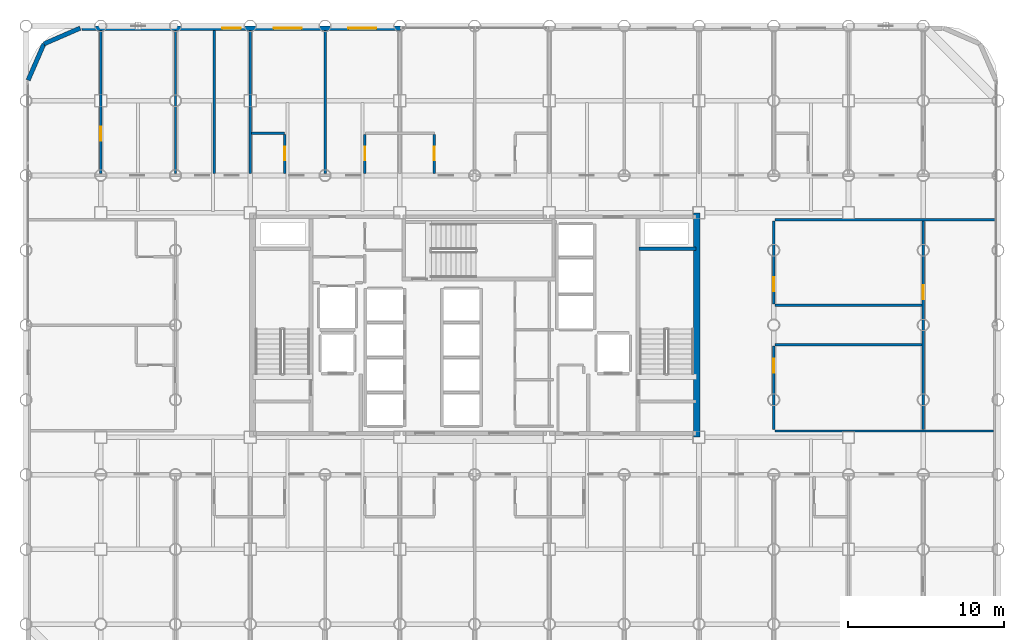
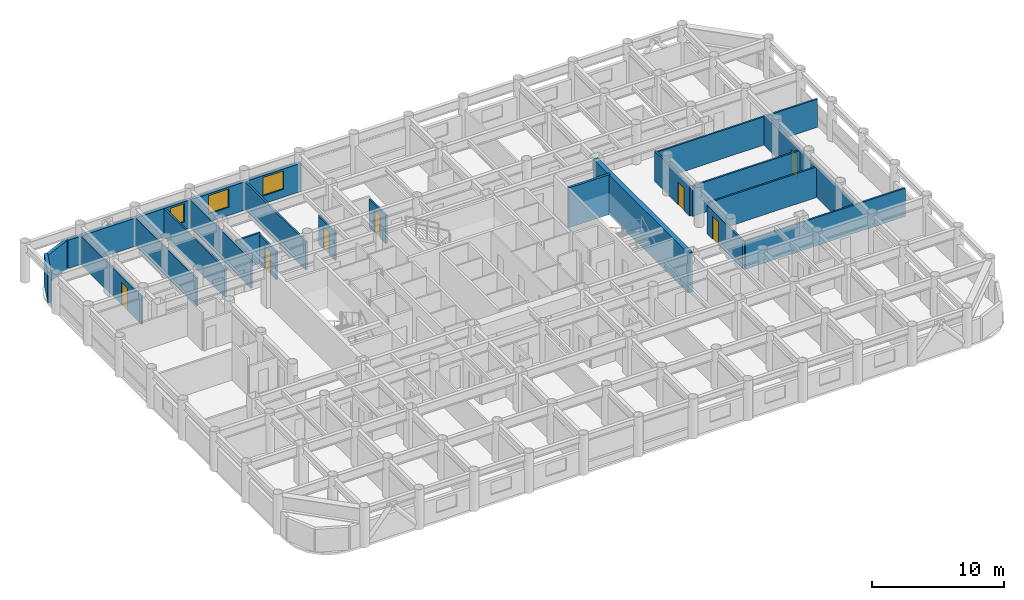
# One storey, part 18 of 21: 21 walls, 7 doors, 3 windows, 10 openings.
"""IFC4 building model written with IfcOpenShell, lengths in metres."""

from ifc_helpers import new_model, si_unit, direction, frame, frame_2d, origin, place, context, subcontext, project, spatial, rectangle, extrude, material, layer, layer_set, type_object, element, fill, save


model = new_model("IFC4")

# Units and contexts
model_context = context("Model", 3, precision=1e-05, world=origin(), true_north=direction((0.0, 1.0)))
body_context = subcontext(model_context, "Body", "Model", "MODEL_VIEW")
ifc_project = project(units=[si_unit("LENGTHUNIT", "METRE"), si_unit("AREAUNIT", "SQUARE_METRE"), si_unit("VOLUMEUNIT", "CUBIC_METRE"), si_unit("PLANEANGLEUNIT", "RADIAN"), si_unit("MASSUNIT", "GRAM", prefix="KILO")], contexts=[model_context])

# Site, building, storey
site_placement = place(None, origin())
site = spatial("IfcSite", under=ifc_project, at=site_placement, CompositionType="ELEMENT")
building_placement = place(site_placement, origin())
building = spatial("IfcBuilding", under=site, at=building_placement, Name="Kallvorn Hotel Tower", CompositionType="ELEMENT")
storey_placement = place(building_placement, frame((0.0, 0.0, 81.800048828125)))
storey = spatial("IfcBuildingStorey", under=building, at=storey_placement, Name="L19", CompositionType="ELEMENT", Elevation=81.800048828125)

# Walls
ifc_material_1 = material(Name="Concrete C50/60", Category="concrete")
ifc_layer_1 = layer(ifc_material_1, 0.39990234375)
ifc_layer_set_1 = layer_set([ifc_layer_1], Name="WL_CORE_400")
wall_type_1 = type_object("IfcWallType", Name="WL_CORE_400", PredefinedType="SHEAR", material=ifc_layer_set_1)
wall_1_placement = place(storey_placement, frame((14.264892578125, -7.199951171875, -0.179931640625), z_axis=(0.0, 0.0, 1.0), x_axis=(0.0, 1.0, 0.0)))
element("IfcWall", 1, at=wall_1_placement, inside=storey, type_object=wall_type_1, Name="L19 Core East Shear Wall", PredefinedType="SHEAR", context=body_context, shape_type="SweptSolid", body=[
    extrude(rectangle(XDim=14.39990234375, YDim=0.39990234375, at=frame_2d((7.199951171875, 0.0))), origin(), (0.0, 0.0, 1.0), 3.699951171875),
])
ifc_material_2 = material(Name="Fire-rated double-layer acoustic gypsum drywall EI 60")
ifc_layer_2 = layer(ifc_material_2, 0.159912109375)
ifc_layer_set_2 = layer_set([ifc_layer_2], Name="WL_DEMISE_160")
wall_type_2 = type_object("IfcWallType", Name="WL_DEMISE_160", PredefinedType="PARTITIONING", material=ifc_layer_set_2)
wall_2_placement = place(storey_placement, frame((-14.320068359375, 12.320068359375, 0.0), z_axis=(0.0, 0.0, 1.0), x_axis=(1.0, 0.0, 0.0)))
element("IfcWall", 2, at=wall_2_placement, inside=storey, type_object=wall_type_2, Name="L19 Suite 1910 Standard Twin Room Partition", PredefinedType="PARTITIONING", context=body_context, shape_type="SweptSolid", body=[
    extrude(rectangle(XDim=2.130126953125, YDim=0.159912109375, at=frame_2d((1.06494140625, 0.0))), origin(), (0.0, 0.0, 1.0), 2.820068359375),
])
wall_3_placement = place(storey_placement, frame((-14.39990234375, 9.719970703125, 0.0), z_axis=(0.0, 0.0, 1.0), x_axis=(0.0, 1.0, 0.0)))
element("IfcWall", 3, at=wall_3_placement, inside=storey, type_object=wall_type_2, Name="L19 Suite 1910 Standard Twin Room Partition", PredefinedType="PARTITIONING", context=body_context, shape_type="SweptSolid", body=[
    extrude(rectangle(XDim=9.18994140625, YDim=0.159912109375, at=frame_2d((4.594970703125, 0.0))), origin(), (0.0, 0.0, 1.0), 2.619873046875),
])

# Wall, opening, door
wall_4_placement = place(storey_placement, frame((-12.18994140625, 9.719970703125, 0.0), z_axis=(0.0, 0.0, 1.0), x_axis=(0.0, 1.0, 0.0)))
wall_4 = element("IfcWall", 4, at=wall_4_placement, inside=storey, type_object=wall_type_2, Name="L19 Suite 1910 Standard Twin Room Partition", PredefinedType="PARTITIONING", context=body_context, shape_type="SweptSolid", body=[
    extrude(rectangle(XDim=2.51513671875, YDim=0.159912109375, at=frame_2d((1.257568359375, 0.0))), origin(), (0.0, 0.0, 1.0), 2.619873046875),
])
opening_1_placement = place(wall_4_placement, frame((0.8701171875, 0.0, 0.0)))
opening_1 = element("IfcOpeningElement", 5, at=opening_1_placement, cuts=wall_4, Name="Opening BD-I", PredefinedType="OPENING", context=body_context, shape_type="SweptSolid", body=[
    extrude(rectangle(XDim=0.860107421875, YDim=2.10009765625, at=frame_2d((0.43017578125, 1.050048828125))), frame((0.0, 0.094970703125, 0.0), z_axis=(0.0, -1.0, 0.0), x_axis=(1.0, 0.0, 0.0)), (0.0, 0.0, 1.0), 0.18994140625),
])
ifc_material_3 = material(Name="Solid-core walnut veneer fire-rated timber door leaf", Category="wood")
door_type_1 = type_object("IfcDoorType", Name="DR_BATH_860x2100", OperationType="NOTDEFINED", PredefinedType="DOOR", material=ifc_material_3)
door_1_placement = place(opening_1_placement, origin())
door_1 = element("IfcDoor", 6, at=door_1_placement, inside=storey, type_object=door_type_1, Name="L19 Suite 1910 En-Suite Bathroom Door", OperationType="SINGLE_SWING_LEFT", OverallHeight=2.10009765625, OverallWidth=0.860107421875, PredefinedType="DOOR", context=body_context, shape_type="SweptSolid", body=[
    extrude(rectangle(XDim=0.860107421875, YDim=2.10009765625, at=frame_2d((0.43017578125, 1.050048828125))), frame((0.0, 0.02490234375, 0.0), z_axis=(0.0, -1.0, 0.0), x_axis=(1.0, 0.0, 0.0)), (0.0, 0.0, 1.0), 0.050048828125),
])
fill(opening_1, door_1)

# Wall
wall_5_placement = place(storey_placement, frame((-9.60009765625, 9.719970703125, 0.0), z_axis=(0.0, 0.0, 1.0), x_axis=(0.0, 1.0, 0.0)))
element("IfcWall", 7, at=wall_5_placement, inside=storey, type_object=wall_type_2, Name="L19 Suite 1910 Standard Twin Room Partition", PredefinedType="PARTITIONING", context=body_context, shape_type="SweptSolid", body=[
    extrude(rectangle(XDim=9.18994140625, YDim=0.159912109375, at=frame_2d((4.594970703125, 0.0))), origin(), (0.0, 0.0, 1.0), 2.619873046875),
])

# Wall, opening, door
wall_6_placement = place(storey_placement, frame((-7.0400390625, 9.719970703125, 0.0), z_axis=(0.0, 0.0, 1.0), x_axis=(0.0, 1.0, 0.0)))
wall_6 = element("IfcWall", 8, at=wall_6_placement, inside=storey, type_object=wall_type_2, Name="L19 Suite 1911 Standard Twin Room Partition", PredefinedType="PARTITIONING", context=body_context, shape_type="SweptSolid", body=[
    extrude(rectangle(XDim=2.51513671875, YDim=0.159912109375, at=frame_2d((1.257568359375, 0.0))), origin(), (0.0, 0.0, 1.0), 2.619873046875),
])
opening_2_placement = place(wall_6_placement, frame((0.8701171875, 0.0, 0.0)))
opening_2 = element("IfcOpeningElement", 9, at=opening_2_placement, cuts=wall_6, Name="Opening BD-I", PredefinedType="OPENING", context=body_context, shape_type="SweptSolid", body=[
    extrude(rectangle(XDim=0.860107421875, YDim=2.10009765625, at=frame_2d((0.43017578125, 1.050048828125))), frame((0.0, 0.094970703125, 0.0), z_axis=(0.0, -1.0, 0.0), x_axis=(1.0, 0.0, 0.0)), (0.0, 0.0, 1.0), 0.18994140625),
])
door_2_placement = place(opening_2_placement, origin())
door_2 = element("IfcDoor", 10, at=door_2_placement, inside=storey, type_object=door_type_1, Name="L19 Suite 1911 En-Suite Bathroom Door", OperationType="SINGLE_SWING_LEFT", OverallHeight=2.10009765625, OverallWidth=0.860107421875, PredefinedType="DOOR", context=body_context, shape_type="SweptSolid", body=[
    extrude(rectangle(XDim=0.860107421875, YDim=2.10009765625, at=frame_2d((0.43017578125, 1.050048828125))), frame((0.0, 0.02490234375, 0.0), z_axis=(0.0, -1.0, 0.0), x_axis=(1.0, 0.0, 0.0)), (0.0, 0.0, 1.0), 0.050048828125),
])
fill(opening_2, door_2)

wall_7_placement = place(storey_placement, frame((-2.590087890625, 9.719970703125, 0.0), z_axis=(0.0, 0.0, 1.0), x_axis=(0.0, 1.0, 0.0)))
wall_7 = element("IfcWall", 11, at=wall_7_placement, inside=storey, type_object=wall_type_2, Name="L19 Suite 1912 Standard Twin Room Partition", PredefinedType="PARTITIONING", context=body_context, shape_type="SweptSolid", body=[
    extrude(rectangle(XDim=2.51513671875, YDim=0.159912109375, at=frame_2d((1.257568359375, 0.0))), origin(), (0.0, 0.0, 1.0), 2.619873046875),
])
opening_3_placement = place(wall_7_placement, frame((0.8701171875, 0.0, 0.0)))
opening_3 = element("IfcOpeningElement", 12, at=opening_3_placement, cuts=wall_7, Name="Opening BD-I", PredefinedType="OPENING", context=body_context, shape_type="SweptSolid", body=[
    extrude(rectangle(XDim=0.860107421875, YDim=2.10009765625, at=frame_2d((0.43017578125, 1.050048828125))), frame((0.0, 0.094970703125, 0.0), z_axis=(0.0, -1.0, 0.0), x_axis=(1.0, 0.0, 0.0)), (0.0, 0.0, 1.0), 0.18994140625),
])
door_3_placement = place(opening_3_placement, origin())
door_3 = element("IfcDoor", 13, at=door_3_placement, inside=storey, type_object=door_type_1, Name="L19 Suite 1912 En-Suite Bathroom Door", OperationType="SINGLE_SWING_LEFT", OverallHeight=2.10009765625, OverallWidth=0.860107421875, PredefinedType="DOOR", context=body_context, shape_type="SweptSolid", body=[
    extrude(rectangle(XDim=0.860107421875, YDim=2.10009765625, at=frame_2d((0.43017578125, 1.050048828125))), frame((0.0, 0.02490234375, 0.0), z_axis=(0.0, -1.0, 0.0), x_axis=(1.0, 0.0, 0.0)), (0.0, 0.0, 1.0), 0.050048828125),
])
fill(opening_3, door_3)

# Walls
ifc_material_4 = material(Name="Precast basalt-clad insulated concrete wall C40/50", Category="masonry")
ifc_layer_3 = layer(ifc_material_4, 0.280029296875)
ifc_layer_set_3 = layer_set([ifc_layer_3], Name="WL_EXT_LOGGIA_280")
wall_type_3 = type_object("IfcWallType", Name="WL_EXT_LOGGIA_280", PredefinedType="SOLIDWALL", material=ifc_layer_set_3)
wall_8_placement = place(storey_placement, frame((-25.32080078125, 19.057861328125, 0.0), z_axis=(0.0, 0.0, 1.0), x_axis=(-0.917060872934, -0.398747232384, 0.0)))
element("IfcWall", 14, at=wall_8_placement, inside=storey, type_object=wall_type_3, Name="L19 Rounded Corner Exterior Wall NW1", PredefinedType="SOLIDWALL", context=body_context, shape_type="SweptSolid", body=[
    extrude(rectangle(XDim=2.5361328125, YDim=0.280029296875, at=frame_2d((1.26806640625, 0.0))), origin(), (0.0, 0.0, 1.0), 2.619873046875),
])
wall_9_placement = place(storey_placement, frame((-27.646484375, 18.046630859375, 0.0), z_axis=(0.0, 0.0, 1.0), x_axis=(-0.398792985289, -0.917040977756, 0.0)))
element("IfcWall", 15, at=wall_9_placement, inside=storey, type_object=wall_type_3, Name="L19 Rounded Corner Exterior Wall NW2", PredefinedType="SOLIDWALL", context=body_context, shape_type="SweptSolid", body=[
    extrude(rectangle(XDim=2.536376953125, YDim=0.280029296875, at=frame_2d((1.26806640625, 0.0))), origin(), (0.0, 0.0, 1.0), 2.820068359375),
])

# Wall, openings, windows
wall_10_placement = place(storey_placement, frame((-25.199951171875, 19.06005859375, 0.0), z_axis=(0.0, 0.0, 1.0), x_axis=(1.0, 0.0, 0.0)))
wall_10 = element("IfcWall", 16, at=wall_10_placement, inside=storey, type_object=wall_type_3, Name="L19 Exterior Envelope Wall EW-L19-NW", PredefinedType="SOLIDWALL", context=body_context, shape_type="SweptSolid", body=[
    extrude(rectangle(XDim=20.449951171875, YDim=0.280029296875, at=frame_2d((10.22509765625, 0.0))), origin(), (0.0, 0.0, 1.0), 2.619873046875),
])
opening_4_placement = place(wall_10_placement, frame((9.0, 0.0, 0.75)))
opening_4 = element("IfcOpeningElement", 17, at=opening_4_placement, cuts=wall_10, Name="Opening W06", PredefinedType="OPENING", context=body_context, shape_type="SweptSolid", body=[
    extrude(rectangle(XDim=1.199951171875, YDim=1.699951171875, at=frame_2d((0.60009765625, 0.85009765625))), frame((0.0, 0.155029296875, 0.0), z_axis=(0.0, -1.0, 0.0), x_axis=(1.0, 0.0, 0.0)), (0.0, 0.0, 1.0), 0.31005859375),
])
opening_5_placement = place(wall_10_placement, frame((12.300048828125, 0.0, 0.75)))
opening_5 = element("IfcOpeningElement", 18, at=opening_5_placement, cuts=wall_10, Name="Opening W04", PredefinedType="OPENING", context=body_context, shape_type="SweptSolid", body=[
    extrude(rectangle(XDim=1.800048828125, YDim=1.699951171875, at=frame_2d((0.89990234375, 0.85009765625))), frame((0.0, 0.155029296875, 0.0), z_axis=(0.0, -1.0, 0.0), x_axis=(1.0, 0.0, 0.0)), (0.0, 0.0, 1.0), 0.31005859375),
])
opening_6_placement = place(wall_10_placement, frame((17.10009765625, 0.0, 0.75)))
opening_6 = element("IfcOpeningElement", 19, at=opening_6_placement, cuts=wall_10, Name="Opening W04", PredefinedType="OPENING", context=body_context, shape_type="SweptSolid", body=[
    extrude(rectangle(XDim=1.800048828125, YDim=1.699951171875, at=frame_2d((0.89990234375, 0.85009765625))), frame((0.0, 0.155029296875, 0.0), z_axis=(0.0, -1.0, 0.0), x_axis=(1.0, 0.0, 0.0)), (0.0, 0.0, 1.0), 0.31005859375),
])
ifc_material_5 = material(Name="Triple-glazed low-e acoustic solar-control dark glass", Category="glass")
window_type_1 = type_object("IfcWindowType", Name="WN_HTL_1200x1700", PartitioningType="SINGLE_PANEL", PredefinedType="WINDOW", material=ifc_material_5)
window_1_placement = place(opening_4_placement, origin())
window_1 = element("IfcWindow", 20, at=window_1_placement, inside=storey, type_object=window_type_1, Name="L19 Guestroom Exterior Window 09", OverallHeight=1.699951171875, OverallWidth=1.199951171875, PartitioningType="SINGLE_PANEL", PredefinedType="WINDOW", context=body_context, shape_type="SweptSolid", body=[
    extrude(rectangle(XDim=1.199951171875, YDim=1.699951171875, at=frame_2d((0.60009765625, 0.85009765625))), frame((0.0, 0.030029296875, 0.0), z_axis=(0.0, -1.0, 0.0), x_axis=(1.0, 0.0, 0.0)), (0.0, 0.0, 1.0), 0.06005859375),
])
fill(opening_4, window_1)
ifc_material_6 = material(Name="Double-glazed low-e solar-control dark glass", Category="glass")
window_type_2 = type_object("IfcWindowType", Name="WN_HTL_1800x1700", PartitioningType="SINGLE_PANEL", PredefinedType="WINDOW", material=ifc_material_6)
window_2_placement = place(opening_5_placement, origin())
window_2 = element("IfcWindow", 21, at=window_2_placement, inside=storey, type_object=window_type_2, Name="L19 Guestroom Exterior Window 10", OverallHeight=1.699951171875, OverallWidth=1.800048828125, PartitioningType="SINGLE_PANEL", PredefinedType="WINDOW", context=body_context, shape_type="SweptSolid", body=[
    extrude(rectangle(XDim=1.800048828125, YDim=1.699951171875, at=frame_2d((0.89990234375, 0.85009765625))), frame((0.0, 0.030029296875, 0.0), z_axis=(0.0, -1.0, 0.0), x_axis=(1.0, 0.0, 0.0)), (0.0, 0.0, 1.0), 0.06005859375),
])
fill(opening_5, window_2)
window_3_placement = place(opening_6_placement, origin())
window_3 = element("IfcWindow", 22, at=window_3_placement, inside=storey, type_object=window_type_2, Name="L19 Guestroom Exterior Window 11", OverallHeight=1.699951171875, OverallWidth=1.800048828125, PartitioningType="SINGLE_PANEL", PredefinedType="WINDOW", context=body_context, shape_type="SweptSolid", body=[
    extrude(rectangle(XDim=1.800048828125, YDim=1.699951171875, at=frame_2d((0.89990234375, 0.85009765625))), frame((0.0, 0.030029296875, 0.0), z_axis=(0.0, -1.0, 0.0), x_axis=(1.0, 0.0, 0.0)), (0.0, 0.0, 1.0), 0.06005859375),
])
fill(opening_6, window_3)

# Walls
ifc_material_7 = material(Name="Concrete C40/50", Category="concrete")
ifc_layer_4 = layer(ifc_material_7, 0.199951171875)
ifc_layer_set_4 = layer_set([ifc_layer_4], Name="WL_HOIST_200")
wall_type_4 = type_object("IfcWallType", Name="WL_HOIST_200", PredefinedType="SOLIDWALL", material=ifc_layer_set_4)
wall_11_placement = place(storey_placement, frame((10.550048828125, 4.89990234375, -0.179931640625), z_axis=(0.0, 0.0, 1.0), x_axis=(1.0, 0.0, 0.0)))
element("IfcWall", 23, at=wall_11_placement, inside=storey, type_object=wall_type_4, Name="L19 Stair ST2 North Wall", PredefinedType="SOLIDWALL", context=body_context, shape_type="SweptSolid", body=[
    extrude(rectangle(XDim=3.64990234375, YDim=0.199951171875, at=frame_2d((1.824951171875, 0.0))), origin(), (0.0, 0.0, 1.0), 3.699951171875),
])
ifc_material_8 = material(Name="Fire-rated double-layer acoustic gypsum drywall EI 60")
ifc_layer_5 = layer(ifc_material_8, 0.14990234375)
ifc_layer_set_5 = layer_set([ifc_layer_5], Name="WL_PART_150")
wall_type_5 = type_object("IfcWallType", Name="WL_PART_150", PredefinedType="PARTITIONING", material=ifc_layer_set_5)
wall_12_placement = place(storey_placement, frame((19.280029296875, -6.800048828125, 0.0), z_axis=(0.0, 0.0, 1.0), x_axis=(1.0, 0.0, 0.0)))
element("IfcWall", 24, at=wall_12_placement, inside=storey, type_object=wall_type_5, Name="L19 L19 East Inner Club Bar Partition", PredefinedType="PARTITIONING", context=body_context, shape_type="SweptSolid", body=[
    extrude(rectangle(XDim=14.030029296875, YDim=0.14990234375, at=frame_2d((7.01513671875, 0.0))), origin(), (0.0, 0.0, 1.0), 2.619873046875),
])
for number, where, z_axis, x_axis, name in (
    (25, (19.280029296875, -1.260009765625, 0.0), (0.0, 0.0, 1.0), (1.0, 0.0, 0.0), "L19 L19 East Inner Club Bar Partition"),
    (26, (19.280029296875, 1.260009765625, 0.0), (0.0, 0.0, 1.0), (1.0, 0.0, 0.0), "L19 L19 East Inner Screening Salon Partition"),
):
    element("IfcWall", number, at=place(storey_placement, frame(where, z_axis=z_axis, x_axis=x_axis)), inside=storey, type_object=wall_type_5, Name=name, PredefinedType="PARTITIONING", context=body_context, shape_type="SweptSolid", body=[
        extrude(rectangle(XDim=9.43994140625, YDim=0.14990234375, at=frame_2d((4.719970703125, 0.0))), origin(), (0.0, 0.0, 1.0), 2.820068359375),
    ])
wall_13_placement = place(storey_placement, frame((19.280029296875, 6.75, 0.0), z_axis=(0.0, 0.0, 1.0), x_axis=(1.0, 0.0, 0.0)))
element("IfcWall", 27, at=wall_13_placement, inside=storey, type_object=wall_type_5, Name="L19 L19 East Inner Screening Salon Partition", PredefinedType="PARTITIONING", context=body_context, shape_type="SweptSolid", body=[
    extrude(rectangle(XDim=14.14990234375, YDim=0.14990234375, at=frame_2d((7.074951171875, 0.0))), origin(), (0.0, 0.0, 1.0), 2.619873046875),
])

# Wall, opening, door
wall_14_placement = place(storey_placement, frame((-24.0, 9.719970703125, 0.0), z_axis=(0.0, 0.0, 1.0), x_axis=(0.0, 1.0, 0.0)))
wall_14 = element("IfcWall", 28, at=wall_14_placement, inside=storey, type_object=wall_type_5, Name="L19 L19 North-West Fitness Gymnasium A Partition", PredefinedType="PARTITIONING", context=body_context, shape_type="SweptSolid", body=[
    extrude(rectangle(XDim=9.18994140625, YDim=0.14990234375, at=frame_2d((4.594970703125, 0.0))), origin(), (0.0, 0.0, 1.0), 2.619873046875),
])
opening_7_placement = place(wall_14_placement, frame((2.10791015625, 0.0, 0.0)))
opening_7 = element("IfcOpeningElement", 29, at=opening_7_placement, cuts=wall_14, Name="Opening SVD1", PredefinedType="OPENING", context=body_context, shape_type="SweptSolid", body=[
    extrude(rectangle(XDim=0.89990234375, YDim=2.10009765625, at=frame_2d((0.449951171875, 1.050048828125))), frame((0.0, 0.08984375, 0.0), z_axis=(0.0, -1.0, 0.0), x_axis=(1.0, 0.0, 0.0)), (0.0, 0.0, 1.0), 0.179931640625),
])
ifc_material_9 = material(Name="Galvanised painted steel fire-rated door assembly", Category="steel")
door_type_2 = type_object("IfcDoorType", Name="DR_SERV_900x2100", OperationType="NOTDEFINED", PredefinedType="DOOR", material=ifc_material_9)
door_4_placement = place(opening_7_placement, origin())
door_4 = element("IfcDoor", 30, at=door_4_placement, inside=storey, type_object=door_type_2, Name="L19 L19 North-West Fitness Gymnasium A Door", OperationType="SINGLE_SWING_RIGHT", OverallHeight=2.10009765625, OverallWidth=0.89990234375, PredefinedType="DOOR", context=body_context, shape_type="SweptSolid", body=[
    extrude(rectangle(XDim=0.89990234375, YDim=2.10009765625, at=frame_2d((0.449951171875, 1.050048828125))), frame((0.0, 0.02490234375, 0.0), z_axis=(0.0, -1.0, 0.0), x_axis=(1.0, 0.0, 0.0)), (0.0, 0.0, 1.0), 0.050048828125),
])
fill(opening_7, door_4)

# Walls
for number, where, z_axis, x_axis, name in (
    (31, (-19.199951171875, 9.719970703125, 0.0), (0.0, 0.0, 1.0), (0.0, 1.0, 0.0), "L19 Housekeeping and Linen Room Partition"),
    (32, (-16.705078125, 9.719970703125, 0.0), (0.0, 0.0, 1.0), (0.0, 1.0, 0.0), "L19 Guest Tea and Refreshment Bar Partition"),
):
    element("IfcWall", number, at=place(storey_placement, frame(where, z_axis=z_axis, x_axis=x_axis)), inside=storey, type_object=wall_type_5, Name=name, PredefinedType="PARTITIONING", context=body_context, shape_type="SweptSolid", body=[
        extrude(rectangle(XDim=9.18994140625, YDim=0.14990234375, at=frame_2d((4.594970703125, 0.0))), origin(), (0.0, 0.0, 1.0), 2.619873046875),
    ])

# Wall, opening, door
wall_15_placement = place(storey_placement, frame((19.199951171875, -6.715087890625, 0.0), z_axis=(0.0, 0.0, 1.0), x_axis=(0.0, 1.0, 0.0)))
wall_15 = element("IfcWall", 33, at=wall_15_placement, inside=storey, type_object=wall_type_5, Name="L19 L19 East Inner Club Bar Partition", PredefinedType="PARTITIONING", context=body_context, shape_type="SweptSolid", body=[
    extrude(rectangle(XDim=5.3701171875, YDim=0.14990234375, at=frame_2d((2.68505859375, 0.0))), origin(), (0.0, 0.0, 1.0), 2.619873046875),
])
opening_8_placement = place(wall_15_placement, frame((3.66015625, 0.0, 0.0)))
opening_8 = element("IfcOpeningElement", 34, at=opening_8_placement, cuts=wall_15, Name="Opening SVD1", PredefinedType="OPENING", context=body_context, shape_type="SweptSolid", body=[
    extrude(rectangle(XDim=0.89990234375, YDim=2.10009765625, at=frame_2d((0.449951171875, 1.050048828125))), frame((0.0, 0.08984375, 0.0), z_axis=(0.0, -1.0, 0.0), x_axis=(1.0, 0.0, 0.0)), (0.0, 0.0, 1.0), 0.179931640625),
])
door_5_placement = place(opening_8_placement, origin())
door_5 = element("IfcDoor", 35, at=door_5_placement, inside=storey, type_object=door_type_2, Name="L19 L19 East Inner Club Bar Door", OperationType="SINGLE_SWING_LEFT", OverallHeight=2.10009765625, OverallWidth=0.89990234375, PredefinedType="DOOR", context=body_context, shape_type="SweptSolid", body=[
    extrude(rectangle(XDim=0.89990234375, YDim=2.10009765625, at=frame_2d((0.449951171875, 1.050048828125))), frame((0.0, 0.02490234375, 0.0), z_axis=(0.0, -1.0, 0.0), x_axis=(1.0, 0.0, 0.0)), (0.0, 0.0, 1.0), 0.050048828125),
])
fill(opening_8, door_5)

wall_16_placement = place(storey_placement, frame((19.199951171875, 1.344970703125, 0.0), z_axis=(0.0, 0.0, 1.0), x_axis=(0.0, 1.0, 0.0)))
wall_16 = element("IfcWall", 36, at=wall_16_placement, inside=storey, type_object=wall_type_5, Name="L19 L19 East Inner Screening Salon Partition", PredefinedType="PARTITIONING", context=body_context, shape_type="SweptSolid", body=[
    extrude(rectangle(XDim=5.320068359375, YDim=0.14990234375, at=frame_2d((2.66015625, 0.0))), origin(), (0.0, 0.0, 1.0), 2.820068359375),
])
opening_9_placement = place(wall_16_placement, frame((0.81689453125, 0.0, 0.0)))
opening_9 = element("IfcOpeningElement", 37, at=opening_9_placement, cuts=wall_16, Name="Opening SVD1", PredefinedType="OPENING", context=body_context, shape_type="SweptSolid", body=[
    extrude(rectangle(XDim=0.89990234375, YDim=2.10009765625, at=frame_2d((0.449951171875, 1.050048828125))), frame((0.0, 0.08984375, 0.0), z_axis=(0.0, -1.0, 0.0), x_axis=(1.0, 0.0, 0.0)), (0.0, 0.0, 1.0), 0.179931640625),
])
door_6_placement = place(opening_9_placement, origin())
door_6 = element("IfcDoor", 38, at=door_6_placement, inside=storey, type_object=door_type_2, Name="L19 L19 East Inner Screening Salon Door", OperationType="SINGLE_SWING_RIGHT", OverallHeight=2.10009765625, OverallWidth=0.89990234375, PredefinedType="DOOR", context=body_context, shape_type="SweptSolid", body=[
    extrude(rectangle(XDim=0.89990234375, YDim=2.10009765625, at=frame_2d((0.449951171875, 1.050048828125))), frame((0.0, 0.02490234375, 0.0), z_axis=(0.0, -1.0, 0.0), x_axis=(1.0, 0.0, 0.0)), (0.0, 0.0, 1.0), 0.050048828125),
])
fill(opening_9, door_6)

wall_17_placement = place(storey_placement, frame((28.800048828125, -6.715087890625, 0.0), z_axis=(0.0, 0.0, 1.0), x_axis=(0.0, 1.0, 0.0)))
wall_17 = element("IfcWall", 39, at=wall_17_placement, inside=storey, type_object=wall_type_5, Name="L19 L19 East Inner Club Bar Partition", PredefinedType="PARTITIONING", context=body_context, shape_type="SweptSolid", body=[
    extrude(rectangle(XDim=13.380126953125, YDim=0.14990234375, at=frame_2d((6.68994140625, 0.0))), origin(), (0.0, 0.0, 1.0), 2.820068359375),
])
opening_10_placement = place(wall_17_placement, frame((8.37939453125, 0.0, 0.0)))
opening_10 = element("IfcOpeningElement", 40, at=opening_10_placement, cuts=wall_17, Name="Opening SVD1", PredefinedType="OPENING", context=body_context, shape_type="SweptSolid", body=[
    extrude(rectangle(XDim=0.89990234375, YDim=2.10009765625, at=frame_2d((0.449951171875, 1.050048828125))), frame((0.0, 0.08984375, 0.0), z_axis=(0.0, -1.0, 0.0), x_axis=(1.0, 0.0, 0.0)), (0.0, 0.0, 1.0), 0.179931640625),
])
door_7_placement = place(opening_10_placement, origin())
door_7 = element("IfcDoor", 41, at=door_7_placement, inside=storey, type_object=door_type_2, Name="L19 L19 E Cordillera Panorama Dining Salon Door", OperationType="SINGLE_SWING_LEFT", OverallHeight=2.10009765625, OverallWidth=0.89990234375, PredefinedType="DOOR", context=body_context, shape_type="SweptSolid", body=[
    extrude(rectangle(XDim=0.89990234375, YDim=2.10009765625, at=frame_2d((0.449951171875, 1.050048828125))), frame((0.0, 0.02490234375, 0.0), z_axis=(0.0, -1.0, 0.0), x_axis=(1.0, 0.0, 0.0)), (0.0, 0.0, 1.0), 0.050048828125),
])
fill(opening_10, door_7)

save(model, "model.ifc")
